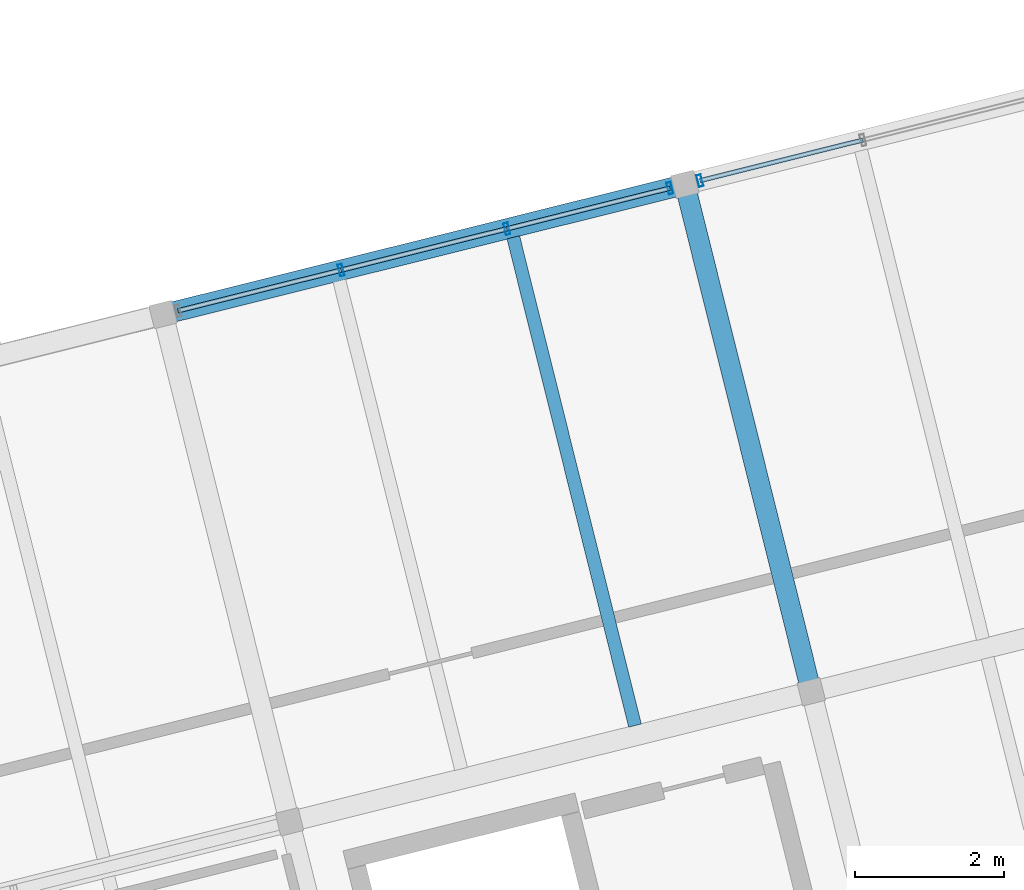
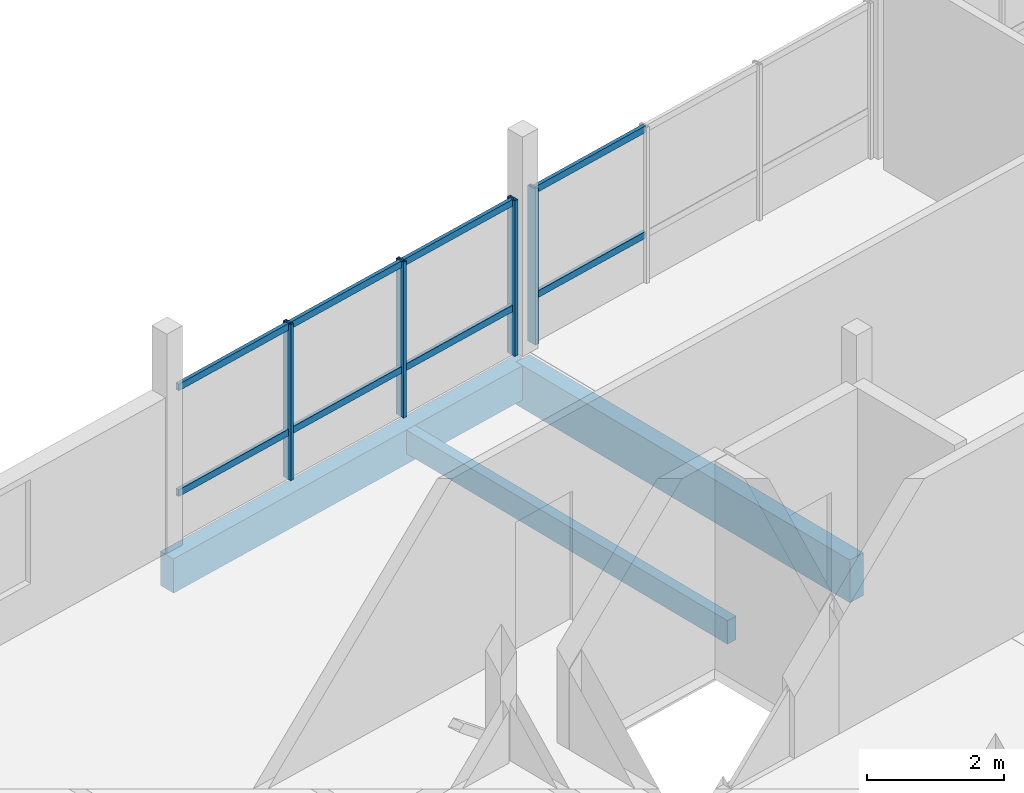
# One storey, part 12 of 25: 12 members, 3 beams, 2 elements without a shape of their own.
"""IFC4 building model written with IfcOpenShell, lengths in metres."""

from ifc_helpers import new_model, si_unit, direction, frame, origin, origin_2d, place, context, subcontext, project, spatial, rectangle, hollow_rectangle, extrude, material, layer, layer_set, material_profile, profile_set, type_object, element, aggregate, save


model = new_model("IFC4")

# Units and contexts
model_context = context("Model", 3, precision=1e-05, world=origin(), true_north=direction((0.0, 1.0)))
body_context = subcontext(model_context, "Body", "Model", "MODEL_VIEW")
ifc_project = project(units=[si_unit("LENGTHUNIT", "METRE"), si_unit("AREAUNIT", "SQUARE_METRE"), si_unit("VOLUMEUNIT", "CUBIC_METRE"), si_unit("PLANEANGLEUNIT", "RADIAN"), si_unit("MASSUNIT", "GRAM", prefix="KILO")], contexts=[model_context])

# Site, building, storey
site_placement = place(None, origin())
site = spatial("IfcSite", under=ifc_project, at=site_placement, CompositionType="ELEMENT")
building_placement = place(site_placement, origin())
building = spatial("IfcBuilding", under=site, at=building_placement, Name="Meriwether Solvik Hall", CompositionType="ELEMENT")
storey_placement = place(building_placement, frame((0.0, 0.0, 53.39990234375)))
storey = spatial("IfcBuildingStorey", under=building, at=storey_placement, Name="L13", CompositionType="ELEMENT", Elevation=53.39990234375)

# Beams
ifc_material_1 = material(Name="Glulam Douglas-Fir 24F-V8 GL28h", Category="wood")
ifc_material_profile_1 = material_profile(ifc_material_1, rectangle(XDim=0.27294921875, YDim=0.610107421875, at=origin_2d()), Name="GLB-273X610")
ifc_profile_set_1 = profile_set([ifc_material_profile_1], Name="Glulam Douglas-Fir 24F-V8 GL28h")
beam_type_1 = type_object("IfcBeamType", Name="BM-GL-273X610", PredefinedType="SPANDREL", material=ifc_profile_set_1)
beam_1_placement = place(storey_placement, frame((69.200439453125, 70.206787109375, -0.48486328125), z_axis=(0.970291911955, 0.241937193493, 0.0), x_axis=(-0.241937193493, 0.970291911955, 0.0)))
element("IfcBeam", 1, at=beam_1_placement, inside=storey, type_object=beam_type_1, Name="Tower Girder TE:T2-T3 (L13)", PredefinedType="SPANDREL", context=body_context, shape_type="SweptSolid", body=[
    extrude(rectangle(XDim=0.27294921875, YDim=0.610107421875, at=origin_2d()), origin(), (0.0, 0.0, 1.0), 7.199951171875),
])
ifc_material_2 = material(Name="Glulam Douglas-Fir 24F-V8 GL28h", Category="wood")
ifc_material_profile_2 = material_profile(ifc_material_2, rectangle(XDim=0.27294921875, YDim=0.760009765625, at=origin_2d()), Name="GLB-273X760")
ifc_profile_set_2 = profile_set([ifc_material_profile_2], Name="Glulam Douglas-Fir 24F-V8 GL28h")
beam_type_2 = type_object("IfcBeamType", Name="BM-GL-273X760", PredefinedType="BEAM", material=ifc_profile_set_2)
beam_2_placement = place(storey_placement, frame((77.880126953125, 65.15673828125, -0.559814453125), z_axis=(-0.241944715397, 0.970290036376, 0.0), x_axis=(-0.970290036376, -0.241944715397, 0.0)))
element("IfcBeam", 2, at=beam_2_placement, inside=storey, type_object=beam_type_2, Name="Tower Girder T3:TD-TE (L13)", PredefinedType="BEAM", context=body_context, shape_type="SweptSolid", body=[
    extrude(rectangle(XDim=0.27294921875, YDim=0.760009765625, at=origin_2d()), origin(), (0.0, 0.0, 1.0), 7.0),
])

# Curtain wall, members
ifc_material_3 = material(Name="Thermally Broken Anodised Aluminium 6063-T6 and Low-E Glass", Category="aluminium")
ifc_layer_1 = layer(ifc_material_3, 0.179931640625)
ifc_layer_set_1 = layer_set([ifc_layer_1], Name="Thermally Broken Anodised Aluminium 6063-T6 and Low-E Glass")
curtain_wall_type_1 = type_object("IfcCurtainWallType", Name="CW-UNIT-G", PredefinedType="USERDEFINED", material=ifc_layer_set_1)
curtain_wall_1_placement = place(storey_placement, origin())
curtain_wall_1 = element("IfcCurtainWall", 3, at=curtain_wall_1_placement, inside=storey, type_object=curtain_wall_type_1, Name="Curtain Wall E2_B1 (L13)", ObjectType="UNITISED CURTAIN WALL", PredefinedType="USERDEFINED")
ifc_material_4 = material(Name="Anodised Aluminium 6063-T6", Category="aluminium")
ifc_material_profile_3 = material_profile(ifc_material_4, hollow_rectangle(XDim=0.06005859375, YDim=0.159912109375, WallThickness=0.00390625, at=origin_2d()), Name="CWM-60X160")
ifc_profile_set_3 = profile_set([ifc_material_profile_3], Name="Anodised Aluminium 6063-T6")
member_type_1 = type_object("IfcMemberType", Name="CW-MUL-60X160", PredefinedType="MULLION", material=ifc_profile_set_3)
member_1_placement = place(storey_placement, frame((71.583984375, 70.80126953125, 0.0), z_axis=(0.0, 0.0, 1.0), x_axis=(0.970295730764, 0.241921877598, 0.0)))
member_1 = element("IfcMember", 4, at=member_1_placement, type_object=member_type_1, Name="Curtain Wall Mullion 2", PredefinedType="MULLION", context=body_context, shape_type="SweptSolid", body=[
    extrude(hollow_rectangle(XDim=0.06005859375, YDim=0.159912109375, WallThickness=0.00390625, at=origin_2d()), origin(), (0.0, 0.0, 1.0), 2.77001953125),
])
member_2_placement = place(storey_placement, frame((73.802978515625, 71.3544921875, 0.0), z_axis=(0.0, 0.0, 1.0), x_axis=(0.970295730764, 0.241921877598, 0.0)))
member_2 = element("IfcMember", 5, at=member_2_placement, type_object=member_type_1, Name="Curtain Wall Mullion 3", PredefinedType="MULLION", context=body_context, shape_type="SweptSolid", body=[
    extrude(hollow_rectangle(XDim=0.06005859375, YDim=0.159912109375, WallThickness=0.00390625, at=origin_2d()), origin(), (0.0, 0.0, 1.0), 2.77001953125),
])
member_3_placement = place(storey_placement, frame((75.9853515625, 71.8984375, 0.0), z_axis=(0.0, 0.0, 1.0), x_axis=(0.970295730764, 0.241921877598, 0.0)))
member_3 = element("IfcMember", 6, at=member_3_placement, type_object=member_type_1, Name="Curtain Wall Mullion 4", PredefinedType="MULLION", context=body_context, shape_type="SweptSolid", body=[
    extrude(hollow_rectangle(XDim=0.06005859375, YDim=0.159912109375, WallThickness=0.00390625, at=origin_2d()), origin(), (0.0, 0.0, 1.0), 2.77001953125),
])

# Curtain wall, member
ifc_material_5 = material(Name="Thermally Broken Anodised Aluminium 6063-T6 and Low-E Glass", Category="aluminium")
ifc_layer_2 = layer(ifc_material_5, 0.179931640625)
ifc_layer_set_2 = layer_set([ifc_layer_2], Name="Thermally Broken Anodised Aluminium 6063-T6 and Low-E Glass")
curtain_wall_type_2 = type_object("IfcCurtainWallType", Name="CW-UNIT-A", PredefinedType="USERDEFINED", material=ifc_layer_set_2)
curtain_wall_2_placement = place(storey_placement, origin())
curtain_wall_2 = element("IfcCurtainWall", 7, at=curtain_wall_2_placement, inside=storey, type_object=curtain_wall_type_2, Name="Curtain Wall E2_B2 (L13)", ObjectType="UNITISED CURTAIN WALL", PredefinedType="USERDEFINED")
member_4_placement = place(storey_placement, frame((76.387939453125, 71.9990234375, 0.0), z_axis=(0.0, 0.0, 1.0), x_axis=(0.970295730764, 0.241921877598, 0.0)))
member_4 = element("IfcMember", 8, at=member_4_placement, type_object=member_type_1, Name="Curtain Wall Mullion 1", PredefinedType="MULLION", context=body_context, shape_type="SweptSolid", body=[
    extrude(hollow_rectangle(XDim=0.06005859375, YDim=0.159912109375, WallThickness=0.00390625, at=origin_2d()), origin(), (0.0, 0.0, 1.0), 2.77001953125),
])

# Member
ifc_material_6 = material(Name="Anodised Aluminium 6063-T6", Category="aluminium")
ifc_material_profile_4 = material_profile(ifc_material_6, hollow_rectangle(XDim=0.06005859375, YDim=0.1201171875, WallThickness=0.00390625, at=origin_2d()), Name="CWT-60X120")
ifc_profile_set_4 = profile_set([ifc_material_profile_4], Name="Anodised Aluminium 6063-T6")
member_type_2 = type_object("IfcMemberType", Name="CW-TRN-60X120", PredefinedType="USERDEFINED", material=ifc_profile_set_4)
member_5_placement = place(storey_placement, frame((69.40185546875, 70.257080078125, 0.8310546875), z_axis=(0.970282822978, 0.241973642025, 0.0), x_axis=(-0.241973642025, 0.970282822978, 0.0)))
member_5 = element("IfcMember", 9, at=member_5_placement, type_object=member_type_2, Name="Curtain Wall Transom 1-sill", ObjectType="TRANSOM", PredefinedType="USERDEFINED", context=body_context, shape_type="SweptSolid", body=[
    extrude(hollow_rectangle(XDim=0.06005859375, YDim=0.1201171875, WallThickness=0.00390625, at=origin_2d()), origin(), (0.0, 0.0, 1.0), 2.2490234375),
])

member_6_placement = place(storey_placement, frame((69.40185546875, 70.257080078125, 2.710205078125), z_axis=(0.970282822978, 0.241973642025, 0.0), x_axis=(-0.241973642025, 0.970282822978, 0.0)))
member_6 = element("IfcMember", 10, at=member_6_placement, type_object=member_type_2, Name="Curtain Wall Transom 1-head", ObjectType="TRANSOM", PredefinedType="USERDEFINED", context=body_context, shape_type="SweptSolid", body=[
    extrude(hollow_rectangle(XDim=0.06005859375, YDim=0.1201171875, WallThickness=0.00390625, at=origin_2d()), origin(), (0.0, 0.0, 1.0), 2.2490234375),
])

member_7_placement = place(storey_placement, frame((71.583984375, 70.80126953125, 0.8310546875), z_axis=(0.97029929005, 0.241907601634, 0.0), x_axis=(-0.241907601634, 0.97029929005, 0.0)))
member_7 = element("IfcMember", 11, at=member_7_placement, type_object=member_type_2, Name="Curtain Wall Transom 2-sill", ObjectType="TRANSOM", PredefinedType="USERDEFINED", context=body_context, shape_type="SweptSolid", body=[
    extrude(hollow_rectangle(XDim=0.06005859375, YDim=0.1201171875, WallThickness=0.00390625, at=origin_2d()), origin(), (0.0, 0.0, 1.0), 2.286865234375),
])

member_8_placement = place(storey_placement, frame((71.583984375, 70.80126953125, 2.710205078125), z_axis=(0.97029929005, 0.241907601634, 0.0), x_axis=(-0.241907601634, 0.97029929005, 0.0)))
member_8 = element("IfcMember", 12, at=member_8_placement, type_object=member_type_2, Name="Curtain Wall Transom 2-head", ObjectType="TRANSOM", PredefinedType="USERDEFINED", context=body_context, shape_type="SweptSolid", body=[
    extrude(hollow_rectangle(XDim=0.06005859375, YDim=0.1201171875, WallThickness=0.00390625, at=origin_2d()), origin(), (0.0, 0.0, 1.0), 2.286865234375),
])

member_9_placement = place(storey_placement, frame((73.802978515625, 71.3544921875, 0.8310546875), z_axis=(0.970314655542, 0.241845961802, 0.0), x_axis=(-0.241845961802, 0.970314655542, 0.0)))
member_9 = element("IfcMember", 13, at=member_9_placement, type_object=member_type_2, Name="Curtain Wall Transom 3-sill", ObjectType="TRANSOM", PredefinedType="USERDEFINED", context=body_context, shape_type="SweptSolid", body=[
    extrude(hollow_rectangle(XDim=0.06005859375, YDim=0.1201171875, WallThickness=0.00390625, at=origin_2d()), origin(), (0.0, 0.0, 1.0), 2.2490234375),
])

member_10_placement = place(storey_placement, frame((73.802978515625, 71.3544921875, 2.710205078125), z_axis=(0.970314655542, 0.241845961802, 0.0), x_axis=(-0.241845961802, 0.970314655542, 0.0)))
member_10 = element("IfcMember", 14, at=member_10_placement, type_object=member_type_2, Name="Curtain Wall Transom 3-head", ObjectType="TRANSOM", PredefinedType="USERDEFINED", context=body_context, shape_type="SweptSolid", body=[
    extrude(hollow_rectangle(XDim=0.06005859375, YDim=0.1201171875, WallThickness=0.00390625, at=origin_2d()), origin(), (0.0, 0.0, 1.0), 2.2490234375),
])

aggregate(curtain_wall_1, [member_1, member_2, member_3, member_5, member_6, member_7, member_8, member_9, member_10])

member_11_placement = place(storey_placement, frame((76.387939453125, 71.9990234375, 0.8310546875), z_axis=(0.970308305597, 0.241871437108, 0.0), x_axis=(-0.241871437108, 0.970308305597, 0.0)))
member_11 = element("IfcMember", 15, at=member_11_placement, type_object=member_type_2, Name="Curtain Wall Transom 1-sill", ObjectType="TRANSOM", PredefinedType="USERDEFINED", context=body_context, shape_type="SweptSolid", body=[
    extrude(hollow_rectangle(XDim=0.06005859375, YDim=0.1201171875, WallThickness=0.00390625, at=origin_2d()), origin(), (0.0, 0.0, 1.0), 2.2490234375),
])

member_12_placement = place(storey_placement, frame((76.387939453125, 71.9990234375, 2.710205078125), z_axis=(0.970308305597, 0.241871437108, 0.0), x_axis=(-0.241871437108, 0.970308305597, 0.0)))
member_12 = element("IfcMember", 16, at=member_12_placement, type_object=member_type_2, Name="Curtain Wall Transom 1-head", ObjectType="TRANSOM", PredefinedType="USERDEFINED", context=body_context, shape_type="SweptSolid", body=[
    extrude(hollow_rectangle(XDim=0.06005859375, YDim=0.1201171875, WallThickness=0.00390625, at=origin_2d()), origin(), (0.0, 0.0, 1.0), 2.2490234375),
])

aggregate(curtain_wall_2, [member_4, member_11, member_12])

# Beam
ifc_material_7 = material(Name="Glulam Douglas-Fir 24F-V8 GL28h", Category="wood")
ifc_material_profile_5 = material_profile(ifc_material_7, rectangle(XDim=0.175048828125, YDim=0.419921875, at=origin_2d()), Name="GLJ-175X420")
ifc_profile_set_5 = profile_set([ifc_material_profile_5], Name="Glulam Douglas-Fir 24F-V8 GL28h")
beam_type_3 = type_object("IfcBeamType", Name="JST-GL-175X420", PredefinedType="JOIST", material=ifc_profile_set_5)
beam_3_placement = place(storey_placement, frame((75.51953125, 64.70361328125, -0.389892578125), z_axis=(-0.241930176813, 0.9702936615, 0.0), x_axis=(-0.9702936615, -0.241930176813, 0.0)))
element("IfcBeam", 17, at=beam_3_placement, inside=storey, type_object=beam_type_3, Name="Glulam Floor Joist T2/TD-J2 (L13)", PredefinedType="JOIST", context=body_context, shape_type="SweptSolid", body=[
    extrude(rectangle(XDim=0.175048828125, YDim=0.419921875, at=origin_2d()), origin(), (0.0, 0.0, 1.0), 6.737060546875),
])

save(model, "model.ifc")
